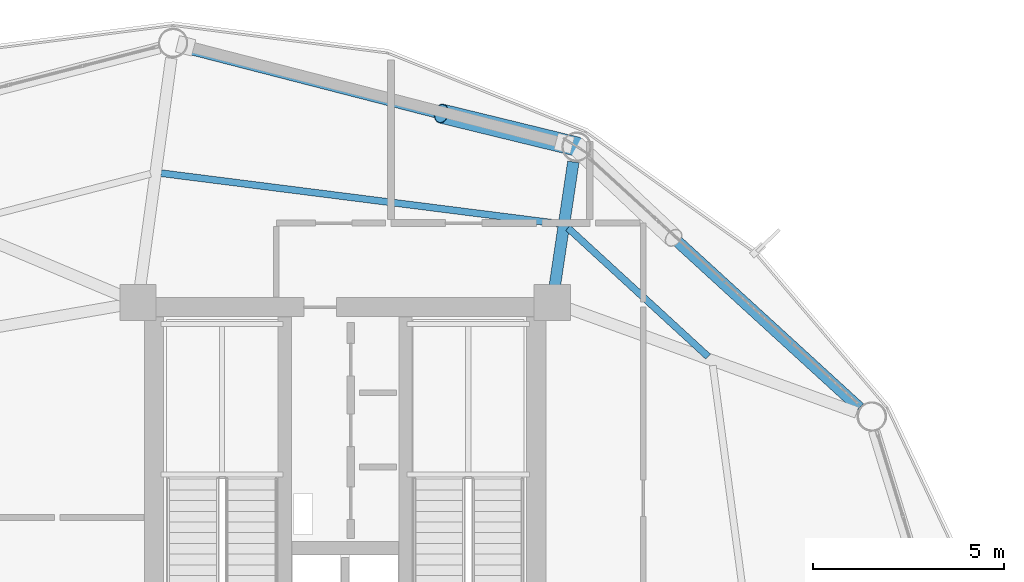
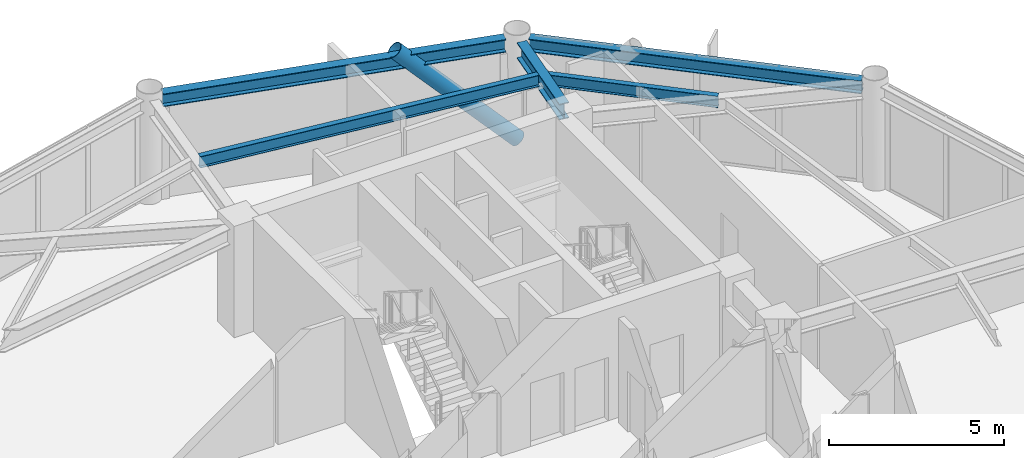
# One storey, part 17 of 25: 5 beams, 1 member.
"""IFC4 building model written with IfcOpenShell, lengths in metres."""

from ifc_helpers import new_model, si_unit, direction, frame, origin, origin_2d, place, context, subcontext, project, spatial, hollow_circle, i_section, extrude, material, material_profile, profile_set, type_object, element, save


model = new_model("IFC4")

# Units and contexts
model_context = context("Model", 3, precision=1e-05, world=origin(), true_north=direction((0.0, 1.0)))
body_context = subcontext(model_context, "Body", "Model", "MODEL_VIEW")
ifc_project = project(units=[si_unit("LENGTHUNIT", "METRE"), si_unit("AREAUNIT", "SQUARE_METRE"), si_unit("VOLUMEUNIT", "CUBIC_METRE"), si_unit("PLANEANGLEUNIT", "RADIAN"), si_unit("MASSUNIT", "GRAM", prefix="KILO")], contexts=[model_context])

# Site, building, storey
site_placement = place(None, origin())
site = spatial("IfcSite", under=ifc_project, at=site_placement, CompositionType="ELEMENT")
building_placement = place(site_placement, origin())
building = spatial("IfcBuilding", under=site, at=building_placement, Name="Varnakorn Sky Granary", CompositionType="ELEMENT")
storey_placement = place(building_placement, frame((0.0, 0.0, 122.699951171875)))
storey = spatial("IfcBuildingStorey", under=building, at=storey_placement, Name="L30", CompositionType="ELEMENT", Elevation=122.699951171875)

# Beams
ifc_material_1 = material(Name="Steel S355JR", Category="steel")
ifc_material_profile_1 = material_profile(ifc_material_1, i_section(OverallWidth=0.300048828125, OverallDepth=0.550048828125, WebThickness=0.014892578125, FlangeThickness=0.029052734375, at=origin_2d()), Name="HE 550 B")
ifc_profile_set_1 = profile_set([ifc_material_profile_1], Name="Steel S355JR")
beam_type_1 = type_object("IfcBeamType", Name="BM-RAD-Z3", PredefinedType="BEAM", material=ifc_profile_set_1)
beam_1_placement = place(storey_placement, frame((8.482177734375, 13.035400390625, 3.364990234375), z_axis=(0.147797842139, 0.98901759229, 0.0), x_axis=(-0.98901759229, 0.147797842139, 0.0)))
element("IfcBeam", 1, at=beam_1_placement, inside=storey, type_object=beam_type_1, Name="Radial Floor Girder RG03 L30", PredefinedType="BEAM", context=body_context, shape_type="SweptSolid", body=[
    extrude(i_section(OverallWidth=0.300048828125, OverallDepth=0.550048828125, WebThickness=0.014892578125, FlangeThickness=0.029052734375, at=origin_2d()), origin(), (0.0, 0.0, 1.0), 3.30029296875),
])
ifc_material_profile_2 = material_profile(ifc_material_1, i_section(OverallWidth=0.179931640625, OverallDepth=0.39990234375, WebThickness=0.008544921875, FlangeThickness=0.013427734375, at=origin_2d()), Name="IPE 400")
ifc_profile_set_2 = profile_set([ifc_material_profile_2], Name="Steel S355JR")
beam_type_2 = type_object("IfcBeamType", Name="BM-SEC-Z3", PredefinedType="BEAM", material=ifc_profile_set_2)
beam_2_placement = place(storey_placement, frame((12.496337890625, 11.205078125, 3.43994140625), z_axis=(-0.736549331367, 0.676383827766, 0.0), x_axis=(-0.676383827766, -0.736549331367, 0.0)))
element("IfcBeam", 2, at=beam_2_placement, inside=storey, type_object=beam_type_2, Name="Secondary Floor Chord Beam MSB02 L30", PredefinedType="BEAM", context=body_context, shape_type="SweptSolid", body=[
    extrude(i_section(OverallWidth=0.179931640625, OverallDepth=0.39990234375, WebThickness=0.008544921875, FlangeThickness=0.013427734375, at=origin_2d()), origin(), (0.0, 0.0, 1.0), 4.97900390625),
])
beam_3_placement = place(storey_placement, frame((8.587158203125, 14.68505859375, 3.43994140625), z_axis=(-0.992035714619, 0.125956901044, 0.0), x_axis=(-0.125956901044, -0.992035714619, 0.0)))
element("IfcBeam", 3, at=beam_3_placement, inside=storey, type_object=beam_type_2, Name="Secondary Floor Chord Beam MSB03 L30", PredefinedType="BEAM", context=body_context, shape_type="SweptSolid", body=[
    extrude(i_section(OverallWidth=0.179931640625, OverallDepth=0.39990234375, WebThickness=0.008544921875, FlangeThickness=0.013427734375, at=origin_2d()), origin(), (0.0, 0.0, 1.0), 10.488037109375),
])
ifc_material_profile_3 = material_profile(ifc_material_1, i_section(OverallWidth=0.300048828125, OverallDepth=0.449951171875, WebThickness=0.013916015625, FlangeThickness=0.02587890625, at=origin_2d()), Name="HE 450 B")
ifc_profile_set_3 = profile_set([ifc_material_profile_3], Name="Steel S355JR")
beam_type_3 = type_object("IfcBeamType", Name="BM-SPD-Z3", PredefinedType="SPANDREL", material=ifc_profile_set_3)
beam_4_placement = place(storey_placement, frame((16.4580078125, 9.866455078125, 3.4150390625), z_axis=(-0.738115063522, 0.674674849836, 0.0), x_axis=(-0.674674849836, -0.738115063522, 0.0)))
element("IfcBeam", 4, at=beam_4_placement, inside=storey, type_object=beam_type_3, Name="Perimeter Spandrel Ring Beam RB02 L30", PredefinedType="SPANDREL", context=body_context, shape_type="SweptSolid", body=[
    extrude(i_section(OverallWidth=0.300048828125, OverallDepth=0.449951171875, WebThickness=0.013916015625, FlangeThickness=0.02587890625, at=origin_2d()), origin(), (0.0, 0.0, 1.0), 9.70556640625),
])
beam_5_placement = place(storey_placement, frame((8.669677734375, 16.752685546875, 3.4150390625), z_axis=(-0.968347030914, 0.249607747715, 0.0), x_axis=(-0.249607747715, -0.968347030914, 0.0)))
element("IfcBeam", 5, at=beam_5_placement, inside=storey, type_object=beam_type_3, Name="Perimeter Spandrel Ring Beam RB03 L30", PredefinedType="SPANDREL", context=body_context, shape_type="SweptSolid", body=[
    extrude(i_section(OverallWidth=0.300048828125, OverallDepth=0.449951171875, WebThickness=0.013916015625, FlangeThickness=0.02587890625, at=origin_2d()), origin(), (0.0, 0.0, 1.0), 10.135986328125),
])

# Member
ifc_material_2 = material(Name="Steel S460M", Category="steel")
ifc_material_profile_4 = material_profile(ifc_material_2, hollow_circle(Radius=0.25390625, WallThickness=0.01806640625, at=origin_2d()), Name="CHS 508x18")
ifc_profile_set_4 = profile_set([ifc_material_profile_4], Name="Steel S460M")
member_type = type_object("IfcMemberType", Name="MB-DIAG-T2", PredefinedType="BRACE", material=ifc_profile_set_4)
member_placement = place(storey_placement, frame((9.0576171875, 16.7021484375, 0.0), z_axis=(-0.673475686356, 0.164213670388, 0.720738767061), x_axis=(-0.236889881728, -0.971536506743, 0.0)))
element("IfcMember", 6, at=member_placement, inside=storey, type_object=member_type, Name="Perimeter CHS Diagrid Brace DG03 L30", PredefinedType="BRACE", context=body_context, shape_type="SweptSolid", body=[
    extrude(hollow_circle(Radius=0.25390625, WallThickness=0.01806640625, at=origin_2d()), origin(), (0.0, 0.0, 1.0), 5.258544921875),
])

save(model, "model.ifc")
